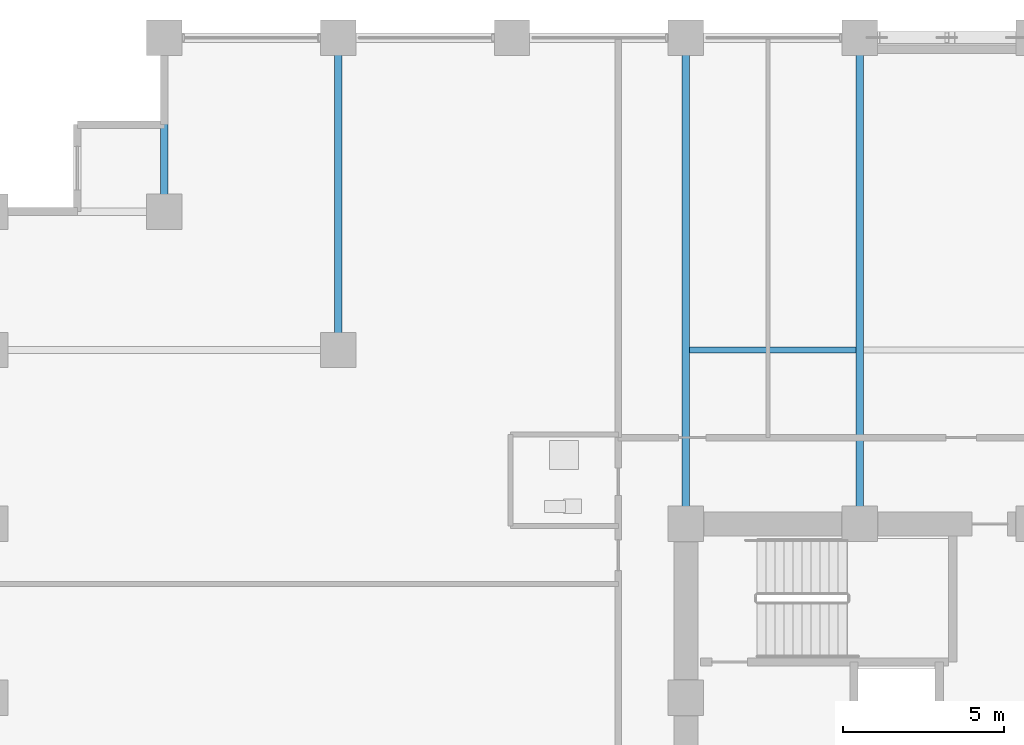
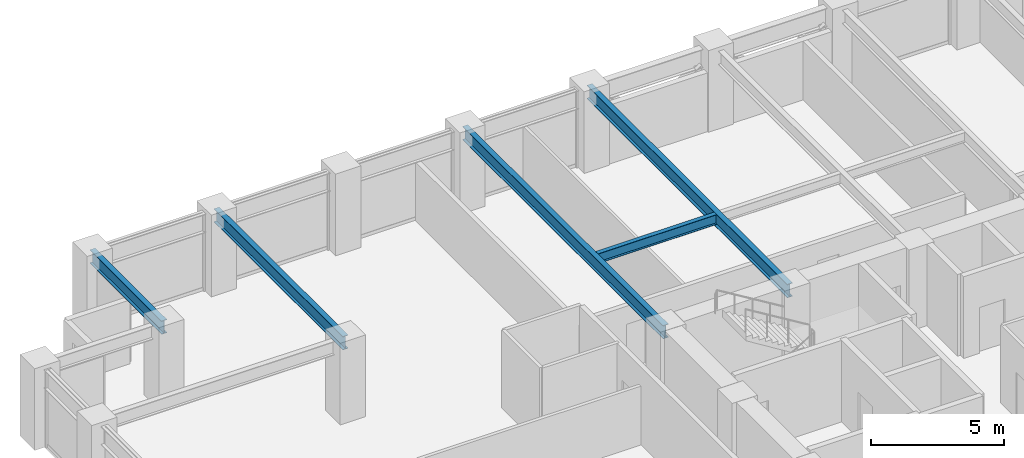
# One storey, part 10 of 25: 5 beams.
"""IFC4 building model written with IfcOpenShell, lengths in metres."""

from ifc_helpers import new_model, si_unit, direction, frame, origin, origin_2d, place, context, subcontext, project, spatial, i_section, extrude, material, material_profile, profile_set, type_object, element, save


model = new_model("IFC4")

# Units and contexts
model_context = context("Model", 3, precision=1e-05, world=origin(), true_north=direction((0.0, 1.0)))
body_context = subcontext(model_context, "Body", "Model", "MODEL_VIEW")
ifc_project = project(units=[si_unit("LENGTHUNIT", "METRE"), si_unit("AREAUNIT", "SQUARE_METRE"), si_unit("VOLUMEUNIT", "CUBIC_METRE"), si_unit("PLANEANGLEUNIT", "RADIAN"), si_unit("MASSUNIT", "GRAM", prefix="KILO")], contexts=[model_context])

# Site, building, storey
site_placement = place(None, origin())
site = spatial("IfcSite", under=ifc_project, at=site_placement, CompositionType="ELEMENT")
building_placement = place(site_placement, origin())
building = spatial("IfcBuilding", under=site, at=building_placement, Name="Surkhivell Harbour Commons", CompositionType="ELEMENT")
storey_placement = place(building_placement, frame((0.0, 0.0, 94.5)))
storey = spatial("IfcBuildingStorey", under=building, at=storey_placement, Name="L24", CompositionType="ELEMENT", Elevation=94.5)

# Beams
ifc_material = material(Name="Steel S355", Category="steel")
ifc_material_profile_1 = material_profile(ifc_material, i_section(OverallWidth=0.22998046875, OverallDepth=0.616943359375, WebThickness=0.01318359375, FlangeThickness=0.022216796875, at=origin_2d()), Name="UB610x229x140")
ifc_profile_set_1 = profile_set([ifc_material_profile_1], Name="Steel S355")
beam_type_1 = type_object("IfcBeamType", Name="BM-GRD-610B", PredefinedType="BEAM", material=ifc_profile_set_1)
beam_1_placement = place(storey_placement, frame((-27.0, 20.5, 3.261474609375), z_axis=(0.0, 1.0, 0.0), x_axis=(-1.0, 0.0, 0.0)))
element("IfcBeam", 1, at=beam_1_placement, inside=storey, type_object=beam_type_1, Name="L24 Floor Girder (-27.0,20.5)", PredefinedType="BEAM", context=body_context, shape_type="SweptSolid", body=[
    extrude(i_section(OverallWidth=0.22998046875, OverallDepth=0.616943359375, WebThickness=0.01318359375, FlangeThickness=0.022216796875, at=origin_2d()), origin(), (0.0, 0.0, 1.0), 5.39990234375),
])
beam_2_placement = place(storey_placement, frame((-21.60009765625, 16.199951171875, 3.261474609375), z_axis=(0.0, 1.0, 0.0), x_axis=(-1.0, 0.0, 0.0)))
element("IfcBeam", 2, at=beam_2_placement, inside=storey, type_object=beam_type_1, Name="L24 Floor Girder (-21.6,16.2)", PredefinedType="BEAM", context=body_context, shape_type="SweptSolid", body=[
    extrude(i_section(OverallWidth=0.22998046875, OverallDepth=0.616943359375, WebThickness=0.01318359375, FlangeThickness=0.022216796875, at=origin_2d()), origin(), (0.0, 0.0, 1.0), 9.699951171875),
])
for number, where, z_axis, x_axis, name in (
    (3, (-10.800048828125, 10.800048828125, 3.261474609375), (0.0, 1.0, 0.0), (-1.0, 0.0, 0.0), "L24 Floor Girder (-10.8,10.8)"),
    (4, (-5.39990234375, 10.800048828125, 3.261474609375), (0.0, 1.0, 0.0), (-1.0, 0.0, 0.0), "L24 Floor Girder (-5.4,10.8)"),
):
    element("IfcBeam", number, at=place(storey_placement, frame(where, z_axis=z_axis, x_axis=x_axis)), inside=storey, type_object=beam_type_1, Name=name, PredefinedType="BEAM", context=body_context, shape_type="SweptSolid", body=[
        extrude(i_section(OverallWidth=0.22998046875, OverallDepth=0.616943359375, WebThickness=0.01318359375, FlangeThickness=0.022216796875, at=origin_2d()), origin(), (0.0, 0.0, 1.0), 15.099853515625),
    ])
ifc_material_profile_2 = material_profile(ifc_material, i_section(OverallWidth=0.18994140625, OverallDepth=0.45703125, WebThickness=0.009033203125, FlangeThickness=0.014404296875, at=origin_2d()), Name="UB457x191x74")
ifc_profile_set_2 = profile_set([ifc_material_profile_2], Name="Steel S355")
beam_type_2 = type_object("IfcBeamType", Name="BM-JST-457B", PredefinedType="JOIST", material=ifc_profile_set_2)
beam_3_placement = place(storey_placement, frame((-10.68701171875, 16.199951171875, 3.341552734375), z_axis=(1.0, 0.0, 0.0), x_axis=(0.0, 1.0, 0.0)))
element("IfcBeam", 5, at=beam_3_placement, inside=storey, type_object=beam_type_2, Name="L24 North Composite Joist (-10.8)", PredefinedType="JOIST", context=body_context, shape_type="SweptSolid", body=[
    extrude(i_section(OverallWidth=0.18994140625, OverallDepth=0.45703125, WebThickness=0.009033203125, FlangeThickness=0.014404296875, at=origin_2d()), origin(), (0.0, 0.0, 1.0), 5.174072265625),
])

save(model, "model.ifc")
